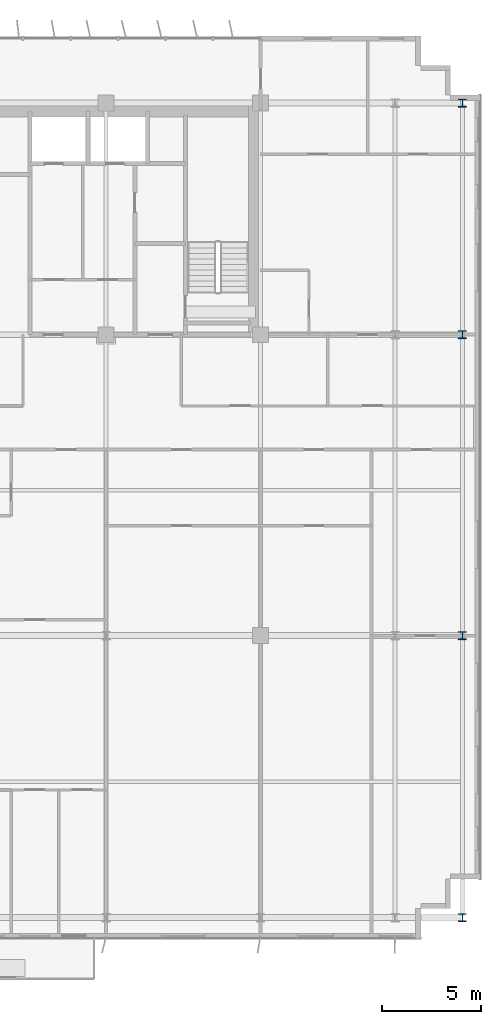
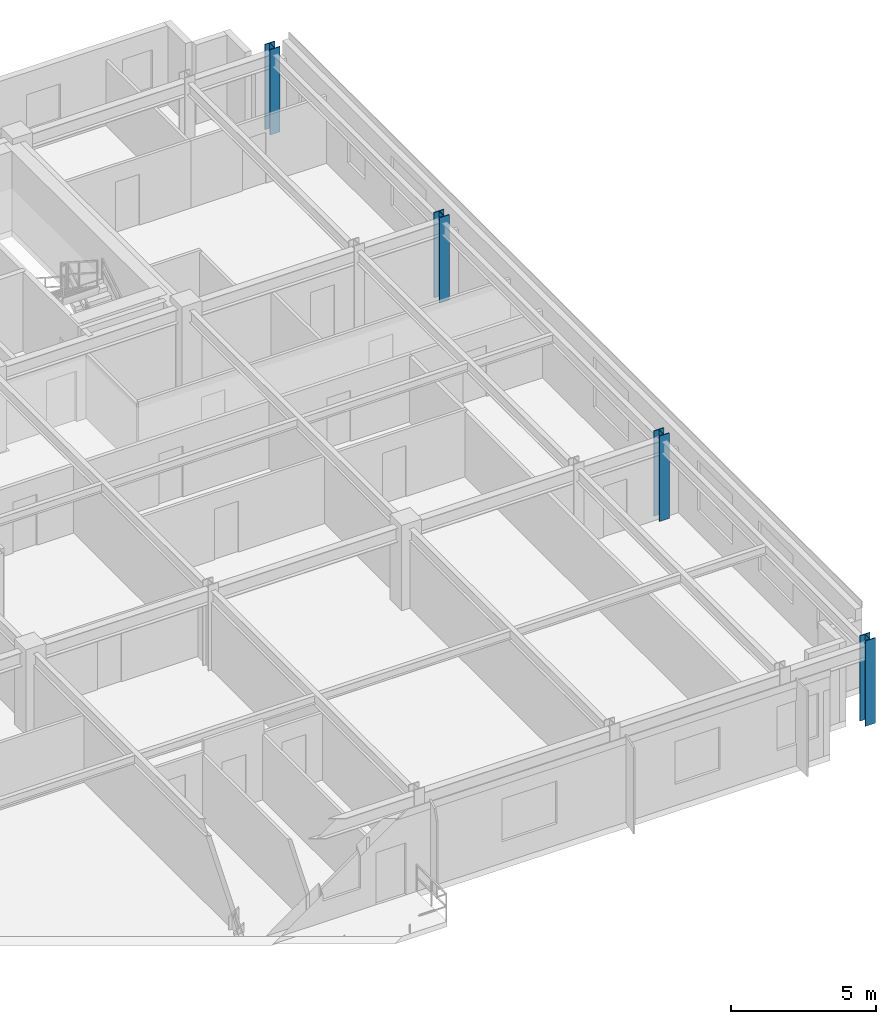
# One storey, part 3 of 22: 4 columns.
"""IFC4 building model written with IfcOpenShell, lengths in metres."""

from ifc_helpers import new_model, si_unit, direction, frame, origin, origin_2d, place, context, subcontext, project, spatial, i_section, extrude, source, transform, mapped, material, material_profile, profile_set, type_object, element, save


model = new_model("IFC4")

# Units and contexts
model_context = context("Model", 3, precision=1e-05, world=origin(), true_north=direction((0.0, 1.0)))
body_context = subcontext(model_context, "Body", "Model", "MODEL_VIEW")
ifc_project = project(units=[si_unit("LENGTHUNIT", "METRE"), si_unit("AREAUNIT", "SQUARE_METRE"), si_unit("VOLUMEUNIT", "CUBIC_METRE"), si_unit("PLANEANGLEUNIT", "RADIAN"), si_unit("MASSUNIT", "GRAM", prefix="KILO")], contexts=[model_context])

# Site, building, storey
site_placement = place(None, origin())
site = spatial("IfcSite", under=ifc_project, at=site_placement, CompositionType="ELEMENT")
building_placement = place(site_placement, origin())
building = spatial("IfcBuilding", under=site, at=building_placement, Name="Trelvane Seafront Commons", CompositionType="ELEMENT")
storey_placement = place(building_placement, frame((0.0, 0.0, 114.10009765625)))
storey = spatial("IfcBuildingStorey", under=building, at=storey_placement, Name="L29", CompositionType="ELEMENT", Elevation=114.10009765625)

# Columns
ifc_material = material(Name="Steel SM355 (S355)", Category="steel")
ifc_material_profile = material_profile(ifc_material, i_section(OverallWidth=0.39990234375, OverallDepth=0.39990234375, WebThickness=0.02197265625, FlangeThickness=0.034912109375, at=origin_2d()), Name="HD-400x400x22x35")
ifc_profile_set = profile_set([ifc_material_profile], Name="Steel SM355 (S355)")
column_type = type_object("IfcColumnType", Name="STR-COL-HD400", PredefinedType="COLUMN", material=ifc_profile_set)
shared_shape = source(origin(), body_context, "Body", "SweptSolid", [
    extrude(i_section(OverallWidth=0.39990234375, OverallDepth=0.39990234375, WebThickness=0.02197265625, FlangeThickness=0.034912109375, at=origin_2d()), origin(), (0.0, 0.0, 1.0), 3.599853515625),
])
for number, where, z_axis, x_axis, name in (
    (1, (69.0, 3.949951171875, 0.0), (0.0, 0.0, 1.0), (1.0, 0.0, 0.0), "L29 Column TC-S69.0"),
    (2, (69.0, 18.199951171875, 0.0), (0.0, 0.0, 1.0), (1.0, 0.0, 0.0), "L29 Column TC-M69.0"),
    (3, (69.0, 33.39990234375, 0.0), (0.0, 0.0, 1.0), (1.0, 0.0, 0.0), "L29 Column TC-CS69.0"),
    (4, (69.0, 45.10009765625, 0.0), (0.0, 0.0, 1.0), (1.0, 0.0, 0.0), "L29 Column TC-CN69.0"),
):
    element("IfcColumn", number, at=place(storey_placement, frame(where, z_axis=z_axis, x_axis=x_axis)), inside=storey, type_object=column_type, Name=name, PredefinedType="COLUMN", context=body_context, shape_type="MappedRepresentation", body=[
        mapped(shared_shape, transform((0.0, 0.0, 0.0), x_axis=(1.0, 0.0, 0.0), y_axis=(0.0, 1.0, 0.0), z_axis=(0.0, 0.0, 1.0), scale=1.0)),
    ])

save(model, "model.ifc")
